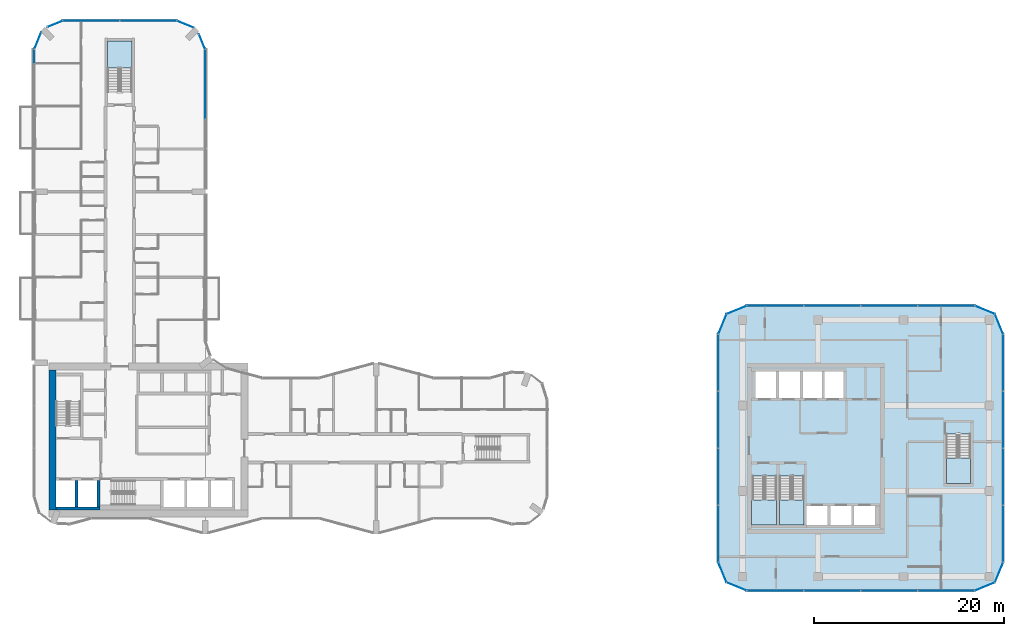
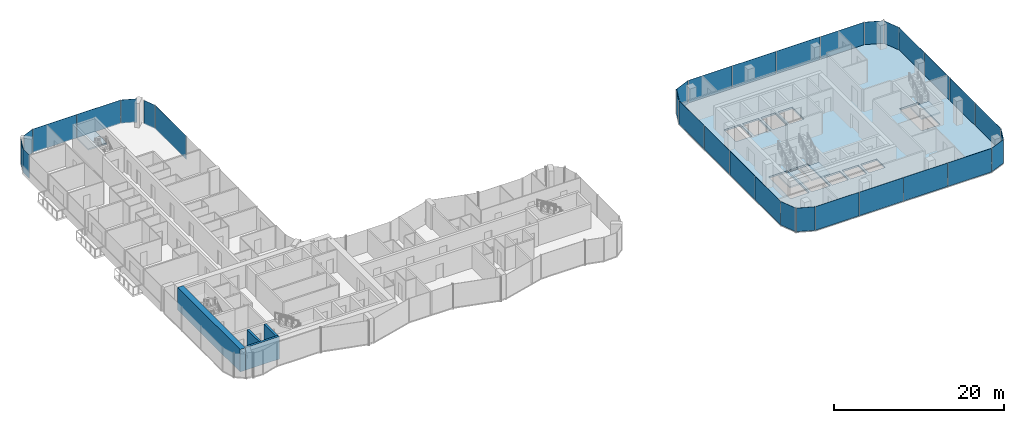
# One storey, part 12 of 22: 32 plates, 5 slabs, 4 walls, 23 elements without a shape of their own.
"""IFC4 building model written with IfcOpenShell, lengths in metres."""

from ifc_helpers import new_model, si_unit, direction, frame, frame_2d, origin, origin_2d, place, context, subcontext, project, spatial, polyline, rectangle, outline, extrude, material, layer, layer_set, type_object, element, aggregate, save


model = new_model("IFC4")

# Units and contexts
model_context = context("Model", 3, precision=1e-05, world=origin(), true_north=direction((0.0, 1.0)))
body_context = subcontext(model_context, "Body", "Model", "MODEL_VIEW")
ifc_project = project(units=[si_unit("LENGTHUNIT", "METRE"), si_unit("AREAUNIT", "SQUARE_METRE"), si_unit("VOLUMEUNIT", "CUBIC_METRE"), si_unit("PLANEANGLEUNIT", "RADIAN"), si_unit("MASSUNIT", "GRAM", prefix="KILO")], contexts=[model_context])

# Site, building, storey
site_placement = place(None, origin())
site = spatial("IfcSite", under=ifc_project, at=site_placement, CompositionType="ELEMENT")
building_placement = place(site_placement, origin())
building = spatial("IfcBuilding", under=site, at=building_placement, Name="Plateau Cross Towers", CompositionType="ELEMENT")
storey_placement = place(building_placement, frame((0.0, 0.0, 58.300048828125)))
storey = spatial("IfcBuildingStorey", under=building, at=storey_placement, Name="L14", CompositionType="ELEMENT", Elevation=58.300048828125)

# Curtain wall, plates
ifc_material_1 = material(Name="Dark low-iron glass", Category="glass")
ifc_layer_1 = layer(ifc_material_1, 0.239990234375)
ifc_layer_set_1 = layer_set([ifc_layer_1], Name="Dark low-iron glass")
curtain_wall_type_1 = type_object("IfcCurtainWallType", Name="Curtain wall office unitised CW-F", PredefinedType="NOTDEFINED", material=ifc_layer_set_1)
curtain_wall_1_placement = place(storey_placement, origin())
curtain_wall_1 = element("IfcCurtainWall", 1, at=curtain_wall_1_placement, inside=storey, type_object=curtain_wall_type_1, Name="ENV/B/L14/B750_-60", PredefinedType="NOTDEFINED")
ifc_layer_2 = layer(ifc_material_1, 0.028076171875)
ifc_layer_set_2 = layer_set([ifc_layer_2], Name="Dark low-iron glass")
plate_type_1 = type_object("IfcPlateType", Name="Glass panel 28 office unitised", PredefinedType="CURTAIN_PANEL", material=ifc_layer_set_2)
plate_1_placement = place(storey_placement, frame((78.0, -6.0, -0.1298828125), z_axis=(0.0, 0.0, 1.0), x_axis=(1.0, 0.0, 0.0)))
plate_1 = element("IfcPlate", 2, at=plate_1_placement, type_object=plate_type_1, Name="CW-F panel 1", PredefinedType="CURTAIN_PANEL", context=body_context, shape_type="SweptSolid", body=[
    extrude(rectangle(XDim=5.93994140625, YDim=0.028076171875, at=origin_2d()), origin(), (0.0, 0.0, 1.0), 3.3798828125),
])
plate_2_placement = place(storey_placement, frame((84.0, -6.0, -0.1298828125), z_axis=(0.0, 0.0, 1.0), x_axis=(1.0, 0.0, 0.0)))
plate_2 = element("IfcPlate", 3, at=plate_2_placement, type_object=plate_type_1, Name="CW-F panel 2", PredefinedType="CURTAIN_PANEL", context=body_context, shape_type="SweptSolid", body=[
    extrude(rectangle(XDim=5.93994140625, YDim=0.028076171875, at=origin_2d()), origin(), (0.0, 0.0, 1.0), 3.3798828125),
])
plate_3_placement = place(storey_placement, frame((90.0, -6.0, -0.1298828125), z_axis=(0.0, 0.0, 1.0), x_axis=(1.0, 0.0, 0.0)))
plate_3 = element("IfcPlate", 4, at=plate_3_placement, type_object=plate_type_1, Name="CW-F panel 3", PredefinedType="CURTAIN_PANEL", context=body_context, shape_type="SweptSolid", body=[
    extrude(rectangle(XDim=5.93994140625, YDim=0.028076171875, at=origin_2d()), origin(), (0.0, 0.0, 1.0), 3.3798828125),
])
plate_4_placement = place(storey_placement, frame((96.0, -6.0, -0.1298828125), z_axis=(0.0, 0.0, 1.0), x_axis=(1.0, 0.0, 0.0)))
plate_4 = element("IfcPlate", 5, at=plate_4_placement, type_object=plate_type_1, Name="CW-F panel 4", PredefinedType="CURTAIN_PANEL", context=body_context, shape_type="SweptSolid", body=[
    extrude(rectangle(XDim=5.93994140625, YDim=0.028076171875, at=origin_2d()), origin(), (0.0, 0.0, 1.0), 3.3798828125),
])
aggregate(curtain_wall_1, [plate_1, plate_2, plate_3, plate_4])

# Curtain wall, plate
curtain_wall_2_placement = place(storey_placement, origin())
curtain_wall_2 = element("IfcCurtainWall", 6, at=curtain_wall_2_placement, inside=storey, type_object=curtain_wall_type_1, Name="ENV/B/L14/B990_-60", PredefinedType="NOTDEFINED")
plate_5_placement = place(storey_placement, frame((100.060546875, -5.560546875, -0.1298828125), z_axis=(0.0, 0.0, 1.0), x_axis=(0.923879457699, 0.382683612978, 0.0)))
plate_5 = element("IfcPlate", 7, at=plate_5_placement, type_object=plate_type_1, Name="CW-F panel 1", PredefinedType="CURTAIN_PANEL", context=body_context, shape_type="SweptSolid", body=[
    extrude(rectangle(XDim=2.236083984375, YDim=0.028076171875, at=origin_2d()), origin(), (0.0, 0.0, 1.0), 3.3798828125),
])
aggregate(curtain_wall_2, [plate_5])

curtain_wall_3_placement = place(storey_placement, origin())
curtain_wall_3 = element("IfcCurtainWall", 8, at=curtain_wall_3_placement, inside=storey, type_object=curtain_wall_type_1, Name="ENV/B/L14/B1011_-51", PredefinedType="NOTDEFINED")
plate_6_placement = place(storey_placement, frame((101.560546875, -4.060546875, -0.1298828125), z_axis=(0.0, 0.0, 1.0), x_axis=(0.382683612978, 0.923879457699, 0.0)))
plate_6 = element("IfcPlate", 9, at=plate_6_placement, type_object=plate_type_1, Name="CW-F panel 1", PredefinedType="CURTAIN_PANEL", context=body_context, shape_type="SweptSolid", body=[
    extrude(rectangle(XDim=2.236083984375, YDim=0.028076171875, at=origin_2d()), origin(), (0.0, 0.0, 1.0), 3.3798828125),
])
aggregate(curtain_wall_3, [plate_6])

# Curtain wall, plates
curtain_wall_4_placement = place(storey_placement, origin())
curtain_wall_4 = element("IfcCurtainWall", 10, at=curtain_wall_4_placement, inside=storey, type_object=curtain_wall_type_1, Name="ENV/B/L14/B1020_-30", PredefinedType="NOTDEFINED")
plate_7_placement = place(storey_placement, frame((102.0, 0.0, -0.1298828125), z_axis=(0.0, 0.0, 1.0), x_axis=(0.0, 1.0, 0.0)))
plate_7 = element("IfcPlate", 11, at=plate_7_placement, type_object=plate_type_1, Name="CW-F panel 1", PredefinedType="CURTAIN_PANEL", context=body_context, shape_type="SweptSolid", body=[
    extrude(rectangle(XDim=5.93994140625, YDim=0.028076171875, at=origin_2d()), origin(), (0.0, 0.0, 1.0), 3.3798828125),
])
plate_8_placement = place(storey_placement, frame((102.0, 6.0, -0.1298828125), z_axis=(0.0, 0.0, 1.0), x_axis=(0.0, 1.0, 0.0)))
plate_8 = element("IfcPlate", 12, at=plate_8_placement, type_object=plate_type_1, Name="CW-F panel 2", PredefinedType="CURTAIN_PANEL", context=body_context, shape_type="SweptSolid", body=[
    extrude(rectangle(XDim=5.93994140625, YDim=0.028076171875, at=origin_2d()), origin(), (0.0, 0.0, 1.0), 3.3798828125),
])
plate_9_placement = place(storey_placement, frame((102.0, 12.0, -0.1298828125), z_axis=(0.0, 0.0, 1.0), x_axis=(0.0, 1.0, 0.0)))
plate_9 = element("IfcPlate", 13, at=plate_9_placement, type_object=plate_type_1, Name="CW-F panel 3", PredefinedType="CURTAIN_PANEL", context=body_context, shape_type="SweptSolid", body=[
    extrude(rectangle(XDim=5.93994140625, YDim=0.028076171875, at=origin_2d()), origin(), (0.0, 0.0, 1.0), 3.3798828125),
])
plate_10_placement = place(storey_placement, frame((102.0, 18.0, -0.1298828125), z_axis=(0.0, 0.0, 1.0), x_axis=(0.0, 1.0, 0.0)))
plate_10 = element("IfcPlate", 14, at=plate_10_placement, type_object=plate_type_1, Name="CW-F panel 4", PredefinedType="CURTAIN_PANEL", context=body_context, shape_type="SweptSolid", body=[
    extrude(rectangle(XDim=5.93994140625, YDim=0.028076171875, at=origin_2d()), origin(), (0.0, 0.0, 1.0), 3.3798828125),
])
aggregate(curtain_wall_4, [plate_7, plate_8, plate_9, plate_10])

# Curtain wall, plate
curtain_wall_5_placement = place(storey_placement, origin())
curtain_wall_5 = element("IfcCurtainWall", 15, at=curtain_wall_5_placement, inside=storey, type_object=curtain_wall_type_1, Name="ENV/B/L14/B1020_210", PredefinedType="NOTDEFINED")
plate_11_placement = place(storey_placement, frame((101.560546875, 22.060546875, -0.1298828125), z_axis=(0.0, 0.0, 1.0), x_axis=(-0.382683612978, 0.923879457699, 0.0)))
plate_11 = element("IfcPlate", 16, at=plate_11_placement, type_object=plate_type_1, Name="CW-F panel 1", PredefinedType="CURTAIN_PANEL", context=body_context, shape_type="SweptSolid", body=[
    extrude(rectangle(XDim=2.236083984375, YDim=0.028076171875, at=origin_2d()), origin(), (0.0, 0.0, 1.0), 3.3798828125),
])
aggregate(curtain_wall_5, [plate_11])

curtain_wall_6_placement = place(storey_placement, origin())
curtain_wall_6 = element("IfcCurtainWall", 17, at=curtain_wall_6_placement, inside=storey, type_object=curtain_wall_type_1, Name="ENV/B/L14/B1011_231", PredefinedType="NOTDEFINED")
plate_12_placement = place(storey_placement, frame((100.060546875, 23.560546875, -0.1298828125), z_axis=(0.0, 0.0, 1.0), x_axis=(-0.923879457699, 0.382683612978, 0.0)))
plate_12 = element("IfcPlate", 18, at=plate_12_placement, type_object=plate_type_1, Name="CW-F panel 1", PredefinedType="CURTAIN_PANEL", context=body_context, shape_type="SweptSolid", body=[
    extrude(rectangle(XDim=2.236083984375, YDim=0.028076171875, at=origin_2d()), origin(), (0.0, 0.0, 1.0), 3.3798828125),
])
aggregate(curtain_wall_6, [plate_12])

# Curtain wall, plates
curtain_wall_7_placement = place(storey_placement, origin())
curtain_wall_7 = element("IfcCurtainWall", 19, at=curtain_wall_7_placement, inside=storey, type_object=curtain_wall_type_1, Name="ENV/B/L14/B990_240", PredefinedType="NOTDEFINED")
plate_13_placement = place(storey_placement, frame((96.0, 24.0, -0.1298828125), z_axis=(0.0, 0.0, 1.0), x_axis=(-1.0, 0.0, 0.0)))
plate_13 = element("IfcPlate", 20, at=plate_13_placement, type_object=plate_type_1, Name="CW-F panel 1", PredefinedType="CURTAIN_PANEL", context=body_context, shape_type="SweptSolid", body=[
    extrude(rectangle(XDim=5.93994140625, YDim=0.028076171875, at=origin_2d()), origin(), (0.0, 0.0, 1.0), 3.3798828125),
])
plate_14_placement = place(storey_placement, frame((90.0, 24.0, -0.1298828125), z_axis=(0.0, 0.0, 1.0), x_axis=(-1.0, 0.0, 0.0)))
plate_14 = element("IfcPlate", 21, at=plate_14_placement, type_object=plate_type_1, Name="CW-F panel 2", PredefinedType="CURTAIN_PANEL", context=body_context, shape_type="SweptSolid", body=[
    extrude(rectangle(XDim=5.93994140625, YDim=0.028076171875, at=origin_2d()), origin(), (0.0, 0.0, 1.0), 3.3798828125),
])
plate_15_placement = place(storey_placement, frame((84.0, 24.0, -0.1298828125), z_axis=(0.0, 0.0, 1.0), x_axis=(-1.0, 0.0, 0.0)))
plate_15 = element("IfcPlate", 22, at=plate_15_placement, type_object=plate_type_1, Name="CW-F panel 3", PredefinedType="CURTAIN_PANEL", context=body_context, shape_type="SweptSolid", body=[
    extrude(rectangle(XDim=5.93994140625, YDim=0.028076171875, at=origin_2d()), origin(), (0.0, 0.0, 1.0), 3.3798828125),
])
plate_16_placement = place(storey_placement, frame((78.0, 24.0, -0.1298828125), z_axis=(0.0, 0.0, 1.0), x_axis=(-1.0, 0.0, 0.0)))
plate_16 = element("IfcPlate", 23, at=plate_16_placement, type_object=plate_type_1, Name="CW-F panel 4", PredefinedType="CURTAIN_PANEL", context=body_context, shape_type="SweptSolid", body=[
    extrude(rectangle(XDim=5.93994140625, YDim=0.028076171875, at=origin_2d()), origin(), (0.0, 0.0, 1.0), 3.3798828125),
])
aggregate(curtain_wall_7, [plate_13, plate_14, plate_15, plate_16])

# Curtain wall, plate
curtain_wall_8_placement = place(storey_placement, origin())
curtain_wall_8 = element("IfcCurtainWall", 24, at=curtain_wall_8_placement, inside=storey, type_object=curtain_wall_type_1, Name="ENV/B/L14/B750_240", PredefinedType="NOTDEFINED")
plate_17_placement = place(storey_placement, frame((73.939453125, 23.560546875, -0.1298828125), z_axis=(0.0, 0.0, 1.0), x_axis=(-0.923879457699, -0.382683612978, 0.0)))
plate_17 = element("IfcPlate", 25, at=plate_17_placement, type_object=plate_type_1, Name="CW-F panel 1", PredefinedType="CURTAIN_PANEL", context=body_context, shape_type="SweptSolid", body=[
    extrude(rectangle(XDim=2.236083984375, YDim=0.028076171875, at=origin_2d()), origin(), (0.0, 0.0, 1.0), 3.3798828125),
])
aggregate(curtain_wall_8, [plate_17])

curtain_wall_9_placement = place(storey_placement, origin())
curtain_wall_9 = element("IfcCurtainWall", 26, at=curtain_wall_9_placement, inside=storey, type_object=curtain_wall_type_1, Name="ENV/B/L14/B729_231", PredefinedType="NOTDEFINED")
plate_18_placement = place(storey_placement, frame((72.439453125, 22.060546875, -0.1298828125), z_axis=(0.0, 0.0, 1.0), x_axis=(-0.382683612978, -0.923879457699, 0.0)))
plate_18 = element("IfcPlate", 27, at=plate_18_placement, type_object=plate_type_1, Name="CW-F panel 1", PredefinedType="CURTAIN_PANEL", context=body_context, shape_type="SweptSolid", body=[
    extrude(rectangle(XDim=2.236083984375, YDim=0.028076171875, at=origin_2d()), origin(), (0.0, 0.0, 1.0), 3.3798828125),
])
aggregate(curtain_wall_9, [plate_18])

# Curtain wall, plates
curtain_wall_10_placement = place(storey_placement, origin())
curtain_wall_10 = element("IfcCurtainWall", 28, at=curtain_wall_10_placement, inside=storey, type_object=curtain_wall_type_1, Name="ENV/B/L14/B720_210", PredefinedType="NOTDEFINED")
plate_19_placement = place(storey_placement, frame((72.0, 18.0, -0.1298828125), z_axis=(0.0, 0.0, 1.0), x_axis=(0.0, -1.0, 0.0)))
plate_19 = element("IfcPlate", 29, at=plate_19_placement, type_object=plate_type_1, Name="CW-F panel 1", PredefinedType="CURTAIN_PANEL", context=body_context, shape_type="SweptSolid", body=[
    extrude(rectangle(XDim=5.93994140625, YDim=0.028076171875, at=origin_2d()), origin(), (0.0, 0.0, 1.0), 3.3798828125),
])
plate_20_placement = place(storey_placement, frame((72.0, 12.0, -0.1298828125), z_axis=(0.0, 0.0, 1.0), x_axis=(0.0, -1.0, 0.0)))
plate_20 = element("IfcPlate", 30, at=plate_20_placement, type_object=plate_type_1, Name="CW-F panel 2", PredefinedType="CURTAIN_PANEL", context=body_context, shape_type="SweptSolid", body=[
    extrude(rectangle(XDim=5.93994140625, YDim=0.028076171875, at=origin_2d()), origin(), (0.0, 0.0, 1.0), 3.3798828125),
])
plate_21_placement = place(storey_placement, frame((72.0, 6.0, -0.1298828125), z_axis=(0.0, 0.0, 1.0), x_axis=(0.0, -1.0, 0.0)))
plate_21 = element("IfcPlate", 31, at=plate_21_placement, type_object=plate_type_1, Name="CW-F panel 3", PredefinedType="CURTAIN_PANEL", context=body_context, shape_type="SweptSolid", body=[
    extrude(rectangle(XDim=5.93994140625, YDim=0.028076171875, at=origin_2d()), origin(), (0.0, 0.0, 1.0), 3.3798828125),
])
plate_22_placement = place(storey_placement, frame((72.0, 0.0, -0.1298828125), z_axis=(0.0, 0.0, 1.0), x_axis=(0.0, -1.0, 0.0)))
plate_22 = element("IfcPlate", 32, at=plate_22_placement, type_object=plate_type_1, Name="CW-F panel 4", PredefinedType="CURTAIN_PANEL", context=body_context, shape_type="SweptSolid", body=[
    extrude(rectangle(XDim=5.93994140625, YDim=0.028076171875, at=origin_2d()), origin(), (0.0, 0.0, 1.0), 3.3798828125),
])
aggregate(curtain_wall_10, [plate_19, plate_20, plate_21, plate_22])

# Curtain wall, plate
curtain_wall_11_placement = place(storey_placement, origin())
curtain_wall_11 = element("IfcCurtainWall", 33, at=curtain_wall_11_placement, inside=storey, type_object=curtain_wall_type_1, Name="ENV/B/L14/B720_-30", PredefinedType="NOTDEFINED")
plate_23_placement = place(storey_placement, frame((72.439453125, -4.060546875, -0.1298828125), z_axis=(0.0, 0.0, 1.0), x_axis=(0.382683612978, -0.923879457699, 0.0)))
plate_23 = element("IfcPlate", 34, at=plate_23_placement, type_object=plate_type_1, Name="CW-F panel 1", PredefinedType="CURTAIN_PANEL", context=body_context, shape_type="SweptSolid", body=[
    extrude(rectangle(XDim=2.236083984375, YDim=0.028076171875, at=origin_2d()), origin(), (0.0, 0.0, 1.0), 3.3798828125),
])
aggregate(curtain_wall_11, [plate_23])

curtain_wall_12_placement = place(storey_placement, origin())
curtain_wall_12 = element("IfcCurtainWall", 35, at=curtain_wall_12_placement, inside=storey, type_object=curtain_wall_type_1, Name="ENV/B/L14/B729_-51", PredefinedType="NOTDEFINED")
plate_24_placement = place(storey_placement, frame((73.939453125, -5.560546875, -0.1298828125), z_axis=(0.0, 0.0, 1.0), x_axis=(0.923879457699, -0.382683612978, 0.0)))
plate_24 = element("IfcPlate", 36, at=plate_24_placement, type_object=plate_type_1, Name="CW-F panel 1", PredefinedType="CURTAIN_PANEL", context=body_context, shape_type="SweptSolid", body=[
    extrude(rectangle(XDim=2.236083984375, YDim=0.028076171875, at=origin_2d()), origin(), (0.0, 0.0, 1.0), 3.3798828125),
])
aggregate(curtain_wall_12, [plate_24])

ifc_layer_3 = layer(ifc_material_1, 0.239990234375)
ifc_layer_set_3 = layer_set([ifc_layer_3], Name="Dark low-iron glass")
curtain_wall_type_2 = type_object("IfcCurtainWallType", Name="Curtain wall flush unitised CW-B", PredefinedType="NOTDEFINED", material=ifc_layer_set_3)
curtain_wall_13_placement = place(storey_placement, origin())
curtain_wall_13 = element("IfcCurtainWall", 37, at=curtain_wall_13_placement, inside=storey, type_object=curtain_wall_type_2, Name="ENV/A/L14/A180_363", PredefinedType="NOTDEFINED")
ifc_layer_4 = layer(ifc_material_1, 0.031982421875)
ifc_layer_set_4 = layer_set([ifc_layer_4], Name="Dark low-iron glass")
plate_type_2 = type_object("IfcPlateType", Name="Glass panel 32 flush unitised", PredefinedType="CURTAIN_PANEL", material=ifc_layer_set_4)
plate_25_placement = place(storey_placement, frame((18.0, 47.324951171875, -0.1298828125), z_axis=(0.0, 0.0, 1.0), x_axis=(0.0, 1.0, 0.0)))
plate_25 = element("IfcPlate", 38, at=plate_25_placement, type_object=plate_type_2, Name="CW-B panel 2", PredefinedType="CURTAIN_PANEL", context=body_context, shape_type="SweptSolid", body=[
    extrude(rectangle(XDim=7.2900390625, YDim=0.031982421875, at=origin_2d()), origin(), (0.0, 0.0, 1.0), 3.3798828125),
])
aggregate(curtain_wall_13, [plate_25])

curtain_wall_14_placement = place(storey_placement, origin())
curtain_wall_14 = element("IfcCurtainWall", 39, at=curtain_wall_14_placement, inside=storey, type_object=curtain_wall_type_2, Name="ENV/A/L14/A180_510", PredefinedType="NOTDEFINED")
plate_26_placement = place(storey_placement, frame((17.66943359375, 51.79833984375, -0.1298828125), z_axis=(0.0, 0.0, 1.0), x_axis=(-0.382683612978, 0.923879457699, 0.0)))
plate_26 = element("IfcPlate", 40, at=plate_26_placement, type_object=plate_type_2, Name="CW-B panel 1", PredefinedType="CURTAIN_PANEL", context=body_context, shape_type="SweptSolid", body=[
    extrude(rectangle(XDim=1.668212890625, YDim=0.031982421875, at=origin_2d()), origin(), (0.0, 0.0, 1.0), 3.3798828125),
])
aggregate(curtain_wall_14, [plate_26])

curtain_wall_15_placement = place(storey_placement, origin())
curtain_wall_15 = element("IfcCurtainWall", 41, at=curtain_wall_15_placement, inside=storey, type_object=curtain_wall_type_2, Name="ENV/A/L14/A168_533", PredefinedType="NOTDEFINED")
plate_27_placement = place(storey_placement, frame((15.90283203125, 53.6259765625, -0.1298828125), z_axis=(0.0, 0.0, 1.0), x_axis=(-0.923879457699, 0.382683612978, 0.0)))
plate_27 = element("IfcPlate", 42, at=plate_27_placement, type_object=plate_type_2, Name="CW-B panel 1", PredefinedType="CURTAIN_PANEL", context=body_context, shape_type="SweptSolid", body=[
    extrude(rectangle(XDim=1.894775390625, YDim=0.031982421875, at=origin_2d()), origin(), (0.0, 0.0, 1.0), 3.3798828125),
])
aggregate(curtain_wall_15, [plate_27])

# Curtain wall, plates
curtain_wall_16_placement = place(storey_placement, origin())
curtain_wall_16 = element("IfcCurtainWall", 43, at=curtain_wall_16_placement, inside=storey, type_object=curtain_wall_type_2, Name="ENV/A/L14/A150_540", PredefinedType="NOTDEFINED")
plate_28_placement = place(storey_placement, frame((12.0, 54.0, -0.1298828125), z_axis=(0.0, 0.0, 1.0), x_axis=(-1.0, 0.0, 0.0)))
plate_28 = element("IfcPlate", 44, at=plate_28_placement, type_object=plate_type_2, Name="CW-B panel 1", PredefinedType="CURTAIN_PANEL", context=body_context, shape_type="SweptSolid", body=[
    extrude(rectangle(XDim=5.93994140625, YDim=0.031982421875, at=origin_2d()), origin(), (0.0, 0.0, 1.0), 3.3798828125),
])
plate_29_placement = place(storey_placement, frame((6.0, 54.0, -0.1298828125), z_axis=(0.0, 0.0, 1.0), x_axis=(-1.0, 0.0, 0.0)))
plate_29 = element("IfcPlate", 45, at=plate_29_placement, type_object=plate_type_2, Name="CW-B panel 2", PredefinedType="CURTAIN_PANEL", context=body_context, shape_type="SweptSolid", body=[
    extrude(rectangle(XDim=5.93994140625, YDim=0.031982421875, at=origin_2d()), origin(), (0.0, 0.0, 1.0), 3.3798828125),
])
aggregate(curtain_wall_16, [plate_28, plate_29])

# Curtain wall, plate
curtain_wall_17_placement = place(storey_placement, origin())
curtain_wall_17 = element("IfcCurtainWall", 46, at=curtain_wall_17_placement, inside=storey, type_object=curtain_wall_type_2, Name="ENV/A/L14/A30_540", PredefinedType="NOTDEFINED")
plate_30_placement = place(storey_placement, frame((2.20166015625, 53.66943359375, -0.1298828125), z_axis=(0.0, 0.0, 1.0), x_axis=(-0.923879457699, -0.382683612978, 0.0)))
plate_30 = element("IfcPlate", 47, at=plate_30_placement, type_object=plate_type_2, Name="CW-B panel 1", PredefinedType="CURTAIN_PANEL", context=body_context, shape_type="SweptSolid", body=[
    extrude(rectangle(XDim=1.668212890625, YDim=0.031982421875, at=origin_2d()), origin(), (0.0, 0.0, 1.0), 3.3798828125),
])
aggregate(curtain_wall_17, [plate_30])

curtain_wall_18_placement = place(storey_placement, origin())
curtain_wall_18 = element("IfcCurtainWall", 48, at=curtain_wall_18_placement, inside=storey, type_object=curtain_wall_type_2, Name="ENV/A/L14/A7_528", PredefinedType="NOTDEFINED")
plate_31_placement = place(storey_placement, frame((0.3740234375, 51.90283203125, -0.1298828125), z_axis=(0.0, 0.0, 1.0), x_axis=(-0.382683612978, -0.923879457699, 0.0)))
plate_31 = element("IfcPlate", 49, at=plate_31_placement, type_object=plate_type_2, Name="CW-B panel 1", PredefinedType="CURTAIN_PANEL", context=body_context, shape_type="SweptSolid", body=[
    extrude(rectangle(XDim=1.894775390625, YDim=0.031982421875, at=origin_2d()), origin(), (0.0, 0.0, 1.0), 3.3798828125),
])
aggregate(curtain_wall_18, [plate_31])

curtain_wall_19_placement = place(storey_placement, origin())
curtain_wall_19 = element("IfcCurtainWall", 50, at=curtain_wall_19_placement, inside=storey, type_object=curtain_wall_type_2, Name="ENV/A/L14/A0_510", PredefinedType="NOTDEFINED")
plate_32_placement = place(storey_placement, frame((0.0, 50.25, -0.1298828125), z_axis=(0.0, 0.0, 1.0), x_axis=(0.0, -1.0, 0.0)))
plate_32 = element("IfcPlate", 51, at=plate_32_placement, type_object=plate_type_2, Name="CW-B panel 1", PredefinedType="CURTAIN_PANEL", context=body_context, shape_type="SweptSolid", body=[
    extrude(rectangle(XDim=1.43994140625, YDim=0.031982421875, at=origin_2d()), origin(), (0.0, 0.0, 1.0), 3.3798828125),
])
aggregate(curtain_wall_19, [plate_32])

# Slab
ifc_material_2 = material(Name="Concrete C40/50", Category="concrete")
ifc_layer_5 = layer(ifc_material_2, 0.25)
ifc_layer_set_5 = layer_set([ifc_layer_5], Name="Concrete C40/50")
slab_type_1 = type_object("IfcSlabType", Name="Post-tensioned flat plate slab 250", PredefinedType="FLOOR", material=ifc_layer_set_5)
slab_1_placement = place(storey_placement, frame((0.0, 0.0, -0.25)))
element("IfcSlab", 52, at=slab_1_placement, inside=storey, type_object=slab_type_1, Name="SL-B-L14", PredefinedType="FLOOR", context=body_context, shape_type="SweptSolid", body=[
    extrude(outline(polyline([(72.878662109375, -5.121337890625), (72.0, -3.0), (72.0, 21.0), (72.878662109375, 23.121337890625), (75.0, 24.0), (99.0, 24.0), (101.121337890625, 23.121337890625), (102.0, 21.0), (102.0, -3.0), (101.121337890625, -5.121337890625), (99.0, -6.0), (75.0, -6.0), (72.878662109375, -5.121337890625)]), holes=[polyline([(75.60009765625, 0.89990234375), (78.14990234375, 0.89990234375), (78.14990234375, 6.10009765625), (75.60009765625, 6.10009765625), (75.60009765625, 0.89990234375)]), polyline([(78.10009765625, 14.300048828125), (78.10009765625, 17.10009765625), (75.89990234375, 17.10009765625), (75.89990234375, 14.300048828125), (78.10009765625, 14.300048828125)]), polyline([(83.5, 0.89990234375), (83.5, 2.89990234375), (81.300048828125, 2.89990234375), (81.300048828125, 0.89990234375), (83.5, 0.89990234375)]), polyline([(86.0, 0.89990234375), (86.0, 2.89990234375), (83.800048828125, 2.89990234375), (83.800048828125, 0.89990234375), (86.0, 0.89990234375)]), polyline([(88.5, 0.89990234375), (88.5, 2.89990234375), (86.300048828125, 2.89990234375), (86.300048828125, 0.89990234375), (88.5, 0.89990234375)]), polyline([(78.449951171875, 0.89990234375), (81.0, 0.89990234375), (81.0, 6.10009765625), (78.449951171875, 6.10009765625), (78.449951171875, 0.89990234375)]), polyline([(96.0, 5.300048828125), (98.550048828125, 5.300048828125), (98.550048828125, 10.5), (96.0, 10.5), (96.0, 5.300048828125)]), polyline([(80.60009765625, 14.300048828125), (80.60009765625, 17.10009765625), (78.39990234375, 17.10009765625), (78.39990234375, 14.300048828125), (80.60009765625, 14.300048828125)]), polyline([(80.89990234375, 14.300048828125), (82.89990234375, 14.300048828125), (82.89990234375, 17.10009765625), (80.89990234375, 17.10009765625), (80.89990234375, 14.300048828125)]), polyline([(83.199951171875, 14.300048828125), (85.199951171875, 14.300048828125), (85.199951171875, 17.10009765625), (83.199951171875, 17.10009765625), (83.199951171875, 14.300048828125)])]), origin(), (0.0, 0.0, 1.0), 0.25),
])

# Stair, slab
stair_type = type_object("IfcStairType", Name="ST-TWR", PredefinedType="HALF_TURN_STAIR", material=ifc_material_2)
stair_1_placement = place(storey_placement, origin())
stair_1 = element("IfcStair", 53, at=stair_1_placement, inside=storey, type_object=stair_type, Name="L14 Protected Exit Stair SB-1", PredefinedType="HALF_TURN_STAIR")
ifc_layer_6 = layer(ifc_material_2, 0.199951171875)
ifc_layer_set_6 = layer_set([ifc_layer_6], Name="Concrete C40/50")
slab_type_2 = type_object("IfcSlabType", Name="SL-LANDING", PredefinedType="LANDING", material=ifc_layer_set_6)
slab_2_placement = place(storey_placement, frame((0.0, 0.0, 1.550048828125)))
slab_2 = element("IfcSlab", 54, at=slab_2_placement, type_object=slab_type_2, Name="SB-1 landing 1", PredefinedType="LANDING", context=body_context, shape_type="SweptSolid", body=[
    extrude(outline(polyline([(75.5, 3.580078125), (75.5, 0.89990234375), (78.14990234375, 0.89990234375), (78.14990234375, 3.580078125), (75.5, 3.580078125)])), origin(), (0.0, 0.0, 1.0), 0.199951171875),
])
aggregate(stair_1, [slab_2])

stair_2_placement = place(storey_placement, origin())
stair_2 = element("IfcStair", 55, at=stair_2_placement, inside=storey, type_object=stair_type, Name="L14 Protected Exit Stair SB-2", PredefinedType="HALF_TURN_STAIR")
slab_3_placement = place(storey_placement, frame((0.0, 0.0, 1.550048828125)))
slab_3 = element("IfcSlab", 56, at=slab_3_placement, type_object=slab_type_2, Name="SB-2 landing 1", PredefinedType="LANDING", context=body_context, shape_type="SweptSolid", body=[
    extrude(outline(polyline([(78.449951171875, 3.580078125), (78.449951171875, 0.89990234375), (81.0, 0.89990234375), (81.0, 3.580078125), (78.449951171875, 3.580078125)])), origin(), (0.0, 0.0, 1.0), 0.199951171875),
])
aggregate(stair_2, [slab_3])

stair_3_placement = place(storey_placement, origin())
stair_3 = element("IfcStair", 57, at=stair_3_placement, inside=storey, type_object=stair_type, Name="L14 Protected Exit Stair SB-3", PredefinedType="HALF_TURN_STAIR")
slab_4_placement = place(storey_placement, frame((0.0, 0.0, 1.550048828125)))
slab_4 = element("IfcSlab", 58, at=slab_4_placement, type_object=slab_type_2, Name="SB-3 landing 1", PredefinedType="LANDING", context=body_context, shape_type="SweptSolid", body=[
    extrude(outline(polyline([(96.0, 7.97998046875), (96.0, 5.300048828125), (98.550048828125, 5.300048828125), (98.550048828125, 7.97998046875), (96.0, 7.97998046875)])), origin(), (0.0, 0.0, 1.0), 0.199951171875),
])
aggregate(stair_3, [slab_4])

stair_4_placement = place(storey_placement, origin())
stair_4 = element("IfcStair", 59, at=stair_4_placement, inside=storey, type_object=stair_type, Name="L14 Protected Exit Stair N", PredefinedType="HALF_TURN_STAIR")
slab_5_placement = place(storey_placement, frame((0.0, 0.0, 1.550048828125)))
slab_5 = element("IfcSlab", 60, at=slab_5_placement, type_object=slab_type_2, Name="ES-N landing 1", PredefinedType="LANDING", context=body_context, shape_type="SweptSolid", body=[
    extrude(outline(polyline([(10.27490234375, 49.02001953125), (10.27490234375, 51.85009765625), (7.72509765625, 51.85009765625), (7.72509765625, 49.02001953125), (10.27490234375, 49.02001953125)])), origin(), (0.0, 0.0, 1.0), 0.199951171875),
])
aggregate(stair_4, [slab_5])

# Walls
ifc_material_3 = material(Name="Concrete C60/75", Category="concrete")
ifc_layer_7 = layer(ifc_material_3, 0.300048828125)
ifc_layer_set_7 = layer_set([ifc_layer_7], Name="Concrete C60/75")
wall_type_1 = type_object("IfcWallType", Name="Core shaft wall 300", PredefinedType="SHEAR", material=ifc_layer_set_7)
wall_1_placement = place(storey_placement, frame((2.300048828125, 2.64990234375, 0.0), z_axis=(0.0, 0.0, 1.0), x_axis=(1.0, 0.0, 0.0)))
element("IfcWall", 61, at=wall_1_placement, inside=storey, type_object=wall_type_1, Name="A-sb-back1@L14", PredefinedType="SHEAR", context=body_context, shape_type="SweptSolid", body=[
    extrude(rectangle(XDim=4.599853515625, YDim=0.300048828125, at=frame_2d((2.2998046875, 0.0))), origin(), (0.0, 0.0, 1.0), 3.25),
])
for number, where, z_axis, x_axis, name in (
    (62, (4.449951171875, 2.800048828125, 0.0), (0.0, 0.0, 1.0), (0.0, 1.0, 0.0), "A-sb-v1@L14"),
    (63, (6.75, 2.800048828125, 0.0), (0.0, 0.0, 1.0), (0.0, 1.0, 0.0), "A-sb-v2@L14"),
):
    element("IfcWall", number, at=place(storey_placement, frame(where, z_axis=z_axis, x_axis=x_axis)), inside=storey, type_object=wall_type_1, Name=name, PredefinedType="SHEAR", context=body_context, shape_type="SweptSolid", body=[
        extrude(rectangle(XDim=2.800048828125, YDim=0.300048828125, at=frame_2d((1.39990234375, 0.0))), origin(), (0.0, 0.0, 1.0), 3.25),
    ])
ifc_layer_8 = layer(ifc_material_3, 0.75)
ifc_layer_set_8 = layer_set([ifc_layer_8], Name="Concrete C60/75")
wall_type_2 = type_object("IfcWallType", Name="Core shell wall 750", PredefinedType="SHEAR", material=ifc_layer_set_8)
wall_2_placement = place(storey_placement, frame((1.925048828125, 2.5, 0.0), z_axis=(0.0, 0.0, 1.0), x_axis=(0.0, 1.0, 0.0)))
element("IfcWall", 64, at=wall_2_placement, inside=storey, type_object=wall_type_2, Name="A-core-W@L14", PredefinedType="SHEAR", context=body_context, shape_type="SweptSolid", body=[
    extrude(rectangle(XDim=14.75, YDim=0.75, at=frame_2d((7.375, 0.0))), origin(), (0.0, 0.0, 1.0), 3.25),
])

save(model, "model.ifc")
